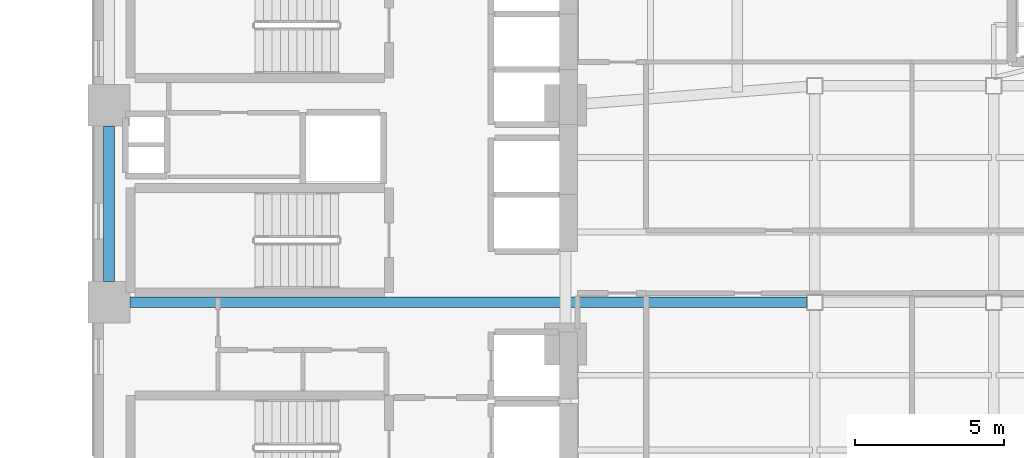
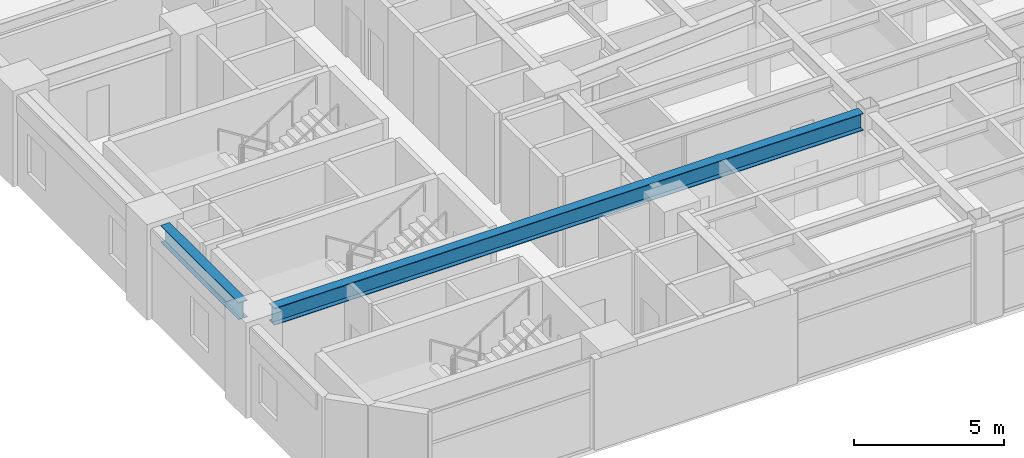
# One storey, part 3 of 16: 2 beams.
"""IFC4 building model written with IfcOpenShell, lengths in metres."""

from ifc_helpers import new_model, si_unit, direction, frame, origin, origin_2d, place, context, subcontext, project, spatial, i_section, extrude, material, material_profile, profile_set, type_object, element, save


model = new_model("IFC4")

# Units and contexts
model_context = context("Model", 3, precision=1e-05, world=origin(), true_north=direction((0.0, 1.0)))
body_context = subcontext(model_context, "Body", "Model", "MODEL_VIEW")
ifc_project = project(units=[si_unit("LENGTHUNIT", "METRE"), si_unit("AREAUNIT", "SQUARE_METRE"), si_unit("VOLUMEUNIT", "CUBIC_METRE"), si_unit("PLANEANGLEUNIT", "RADIAN"), si_unit("MASSUNIT", "GRAM", prefix="KILO")], contexts=[model_context])

# Site, building, storey
site_placement = place(None, origin())
site = spatial("IfcSite", under=ifc_project, at=site_placement, CompositionType="ELEMENT")
building_placement = place(site_placement, origin())
building = spatial("IfcBuilding", under=site, at=building_placement, Name="Mawjaban Terraces University", CompositionType="ELEMENT")
storey_placement = place(building_placement, frame((0.0, 0.0, 54.39990234375)))
storey = spatial("IfcBuildingStorey", under=building, at=storey_placement, Name="L12", CompositionType="ELEMENT", Elevation=54.39990234375)

# Beams
ifc_material = material(Name="Steel ASTM A572 Grade 50", Category="steel")
ifc_material_profile = material_profile(ifc_material, i_section(OverallWidth=0.35498046875, OverallDepth=0.695068359375, WebThickness=0.015380859375, FlangeThickness=0.02490234375, at=origin_2d()), Name="W690X217")
ifc_profile_set = profile_set([ifc_material_profile], Name="Steel ASTM A572 Grade 50")
beam_type = type_object("IfcBeamType", Name="Beam_B_W690X217", PredefinedType="BEAM", material=ifc_profile_set)
beam_1_placement = place(storey_placement, frame((23.050048828125, 7.949951171875, 3.343017578125), z_axis=(1.0, 0.0, 0.0), x_axis=(0.0, 1.0, 0.0)))
element("IfcBeam", 1, at=beam_1_placement, inside=storey, type_object=beam_type, Name="L12 Beam BM-L12-EW-06", PredefinedType="BEAM", context=body_context, shape_type="SweptSolid", body=[
    extrude(i_section(OverallWidth=0.35498046875, OverallDepth=0.695068359375, WebThickness=0.015380859375, FlangeThickness=0.02490234375, at=origin_2d()), origin(), (0.0, 0.0, 1.0), 22.675048828125),
])
beam_2_placement = place(storey_placement, frame((22.35009765625, 8.64990234375, 3.343017578125), z_axis=(0.0, 1.0, 0.0), x_axis=(-1.0, 0.0, 0.0)))
element("IfcBeam", 2, at=beam_2_placement, inside=storey, type_object=beam_type, Name="L12 Beam BM-L12-NS-01", PredefinedType="BEAM", context=body_context, shape_type="SweptSolid", body=[
    extrude(i_section(OverallWidth=0.35498046875, OverallDepth=0.695068359375, WebThickness=0.015380859375, FlangeThickness=0.02490234375, at=origin_2d()), origin(), (0.0, 0.0, 1.0), 5.2001953125),
])

save(model, "model.ifc")
